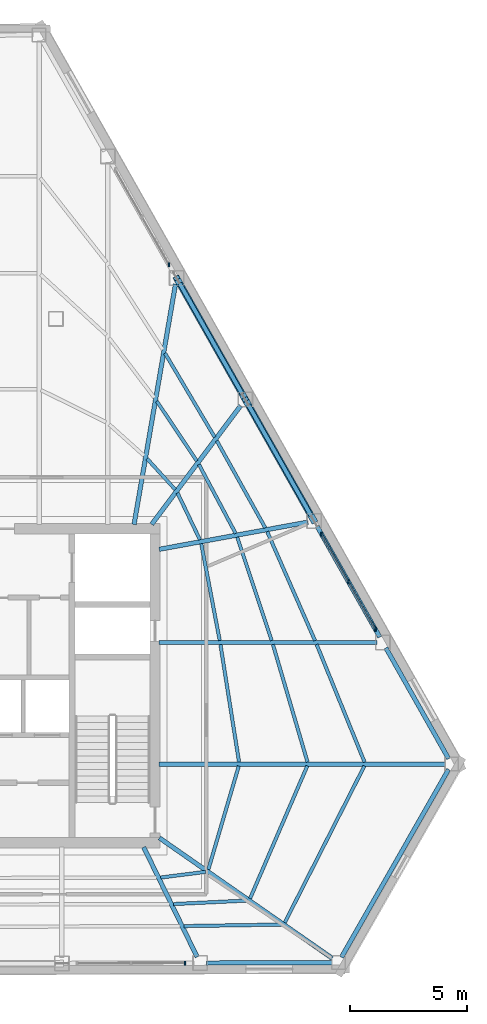
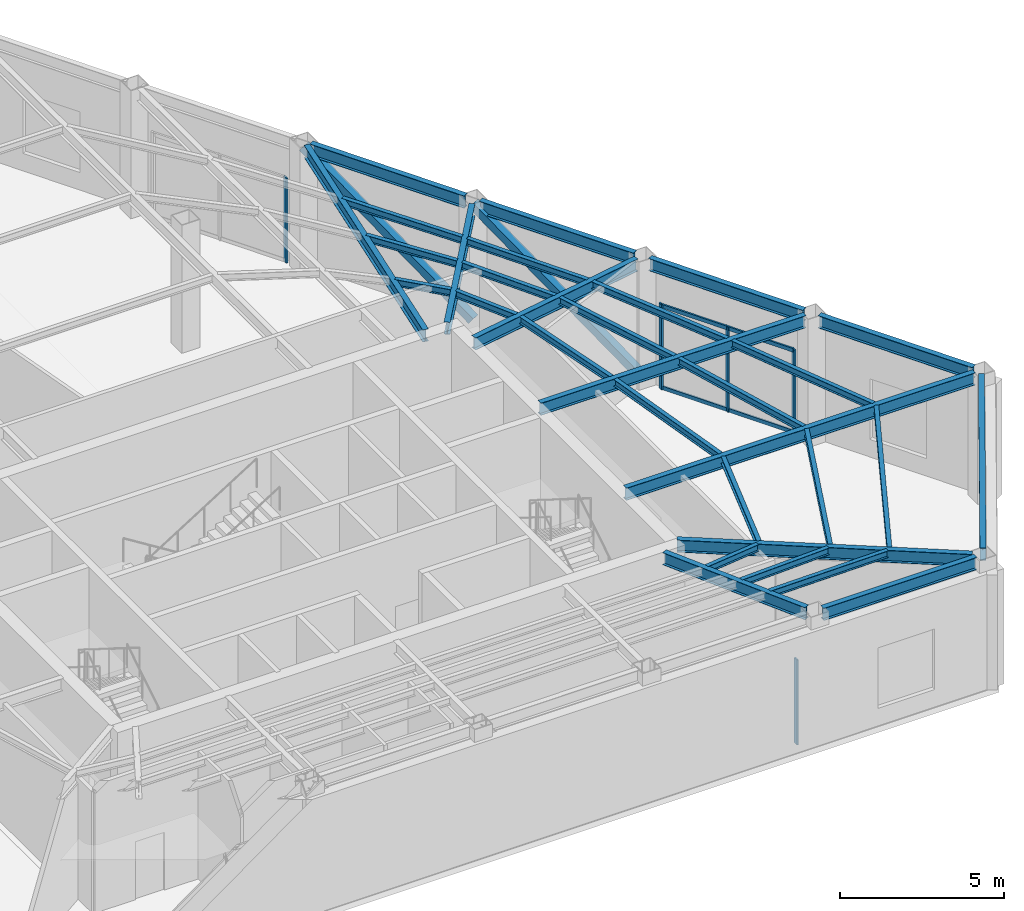
# One storey, part 6 of 14: 31 beams, 9 members, 3 elements without a shape of their own.
"""IFC4 building model written with IfcOpenShell, lengths in metres."""

from ifc_helpers import new_model, si_unit, direction, frame, origin, origin_2d, place, context, subcontext, project, spatial, rectangle, hollow_rectangle, i_section, extrude, material, layer, layer_set, material_profile, profile_set, type_object, element, aggregate, save


model = new_model("IFC4")

# Units and contexts
model_context = context("Model", 3, precision=1e-05, world=origin(), true_north=direction((0.0, 1.0)))
body_context = subcontext(model_context, "Body", "Model", "MODEL_VIEW")
ifc_project = project(units=[si_unit("LENGTHUNIT", "METRE"), si_unit("AREAUNIT", "SQUARE_METRE"), si_unit("VOLUMEUNIT", "CUBIC_METRE"), si_unit("PLANEANGLEUNIT", "RADIAN"), si_unit("MASSUNIT", "GRAM", prefix="KILO")], contexts=[model_context])

# Site, building, storey
site_placement = place(None, origin())
site = spatial("IfcSite", under=ifc_project, at=site_placement, CompositionType="ELEMENT")
building_placement = place(site_placement, origin())
building = spatial("IfcBuilding", under=site, at=building_placement, Name="Kavelnor Concourse Tower", CompositionType="ELEMENT")
storey_placement = place(building_placement, frame((0.0, 0.0, 160.0)))
storey = spatial("IfcBuildingStorey", under=building, at=storey_placement, Name="L40", CompositionType="ELEMENT", Elevation=160.0)

# Beams
ifc_material_1 = material(Name="Steel Grade 350", Category="steel")
ifc_material_profile_1 = material_profile(ifc_material_1, i_section(OverallWidth=0.14599609375, OverallDepth=0.256103515625, WebThickness=0.00634765625, FlangeThickness=0.010986328125, at=origin_2d()), Name="250UB37")
ifc_profile_set_1 = profile_set([ifc_material_profile_1], Name="Steel Grade 350")
beam_type_1 = type_object("IfcBeamType", Name="BM-JOIST-250", PredefinedType="JOIST", material=ifc_profile_set_1)
beam_1_placement = place(storey_placement, frame((47.983642578125, 7.8916015625, 4.6220703125), z_axis=(0.992010509124, 0.126155260638, 0.0), x_axis=(-0.126155260638, 0.992010509124, 0.0)))
element("IfcBeam", 1, at=beam_1_placement, inside=storey, type_object=beam_type_1, Name="L40 Secondary Composite Joist 07-1", PredefinedType="JOIST", context=body_context, shape_type="SweptSolid", body=[
    extrude(i_section(OverallWidth=0.14599609375, OverallDepth=0.256103515625, WebThickness=0.00634765625, FlangeThickness=0.010986328125, at=origin_2d()), origin(), (0.0, 0.0, 1.0), 1.941162109375),
])
beam_2_placement = place(storey_placement, frame((48.533203125, 6.757080078125, 4.6220703125), z_axis=(0.998862350633, 0.047686523133, 0.0), x_axis=(-0.047686523133, 0.998862350633, 0.0)))
element("IfcBeam", 2, at=beam_2_placement, inside=storey, type_object=beam_type_1, Name="L40 Secondary Composite Joist 07-2", PredefinedType="JOIST", context=body_context, shape_type="SweptSolid", body=[
    extrude(i_section(OverallWidth=0.14599609375, OverallDepth=0.256103515625, WebThickness=0.00634765625, FlangeThickness=0.010986328125, at=origin_2d()), origin(), (0.0, 0.0, 1.0), 3.15380859375),
])
beam_3_placement = place(storey_placement, frame((48.99072265625, 5.814453125, 4.6220703125), z_axis=(0.999876088095, 0.015741933027, 0.0), x_axis=(-0.015741933027, 0.999876088095, 0.0)))
element("IfcBeam", 3, at=beam_3_placement, inside=storey, type_object=beam_type_1, Name="L40 Secondary Composite Joist 07-3", PredefinedType="JOIST", context=body_context, shape_type="SweptSolid", body=[
    extrude(i_section(OverallWidth=0.14599609375, OverallDepth=0.256103515625, WebThickness=0.00634765625, FlangeThickness=0.010986328125, at=origin_2d()), origin(), (0.0, 0.0, 1.0), 4.171875),
])
beam_4_placement = place(storey_placement, frame((50.022705078125, 8.23291015625, 4.6220703125), z_axis=(0.282197807631, 0.959356241116, 0.0), x_axis=(-0.959356241116, 0.282197807631, 0.0)))
element("IfcBeam", 4, at=beam_4_placement, inside=storey, type_object=beam_type_1, Name="L40 Secondary Composite Joist 08-1", PredefinedType="JOIST", context=body_context, shape_type="SweptSolid", body=[
    extrude(i_section(OverallWidth=0.14599609375, OverallDepth=0.256103515625, WebThickness=0.00634765625, FlangeThickness=0.010986328125, at=origin_2d()), origin(), (0.0, 0.0, 1.0), 4.6181640625),
])
beam_5_placement = place(storey_placement, frame((51.8076171875, 6.993408203125, 4.6220703125), z_axis=(0.396302060744, 0.918120186386, 0.0), x_axis=(-0.918120186386, 0.396302060744, 0.0)))
element("IfcBeam", 5, at=beam_5_placement, inside=storey, type_object=beam_type_1, Name="L40 Secondary Composite Joist 08-2", PredefinedType="JOIST", context=body_context, shape_type="SweptSolid", body=[
    extrude(i_section(OverallWidth=0.14599609375, OverallDepth=0.256103515625, WebThickness=0.00634765625, FlangeThickness=0.010986328125, at=origin_2d()), origin(), (0.0, 0.0, 1.0), 6.1796875),
])
beam_6_placement = place(storey_placement, frame((53.29150390625, 5.9609375, 4.6220703125), z_axis=(0.453224395233, 0.891396459251, 0.0), x_axis=(-0.891396459251, 0.453224395233, 0.0)))
element("IfcBeam", 6, at=beam_6_placement, inside=storey, type_object=beam_type_1, Name="L40 Secondary Composite Joist 08-3", PredefinedType="JOIST", context=body_context, shape_type="SweptSolid", body=[
    extrude(i_section(OverallWidth=0.14599609375, OverallDepth=0.256103515625, WebThickness=0.00634765625, FlangeThickness=0.010986328125, at=origin_2d()), origin(), (0.0, 0.0, 1.0), 7.52587890625),
])
beam_7_placement = place(storey_placement, frame((51.337158203125, 12.836669921875, 4.6220703125), z_axis=(-0.156509685522, 0.987676423905, 0.0), x_axis=(-0.987676423905, -0.156509685522, 0.0)))
element("IfcBeam", 7, at=beam_7_placement, inside=storey, type_object=beam_type_1, Name="L40 Secondary Composite Joist 09-1", PredefinedType="JOIST", context=body_context, shape_type="SweptSolid", body=[
    extrude(i_section(OverallWidth=0.14599609375, OverallDepth=0.256103515625, WebThickness=0.00634765625, FlangeThickness=0.010986328125, at=origin_2d()), origin(), (0.0, 0.0, 1.0), 5.0869140625),
])
beam_8_placement = place(storey_placement, frame((54.266845703125, 12.833984375, 4.6220703125), z_axis=(-0.282259610586, 0.959338059409, 0.0), x_axis=(-0.959338059409, -0.282259610586, 0.0)))
element("IfcBeam", 8, at=beam_8_placement, inside=storey, type_object=beam_type_1, Name="L40 Secondary Composite Joist 09-2", PredefinedType="JOIST", context=body_context, shape_type="SweptSolid", body=[
    extrude(i_section(OverallWidth=0.14599609375, OverallDepth=0.256103515625, WebThickness=0.00634765625, FlangeThickness=0.010986328125, at=origin_2d()), origin(), (0.0, 0.0, 1.0), 5.242431640625),
])
beam_9_placement = place(storey_placement, frame((56.709228515625, 12.8310546875, 4.6220703125), z_axis=(-0.377321134883, 0.92608248076, 0.0), x_axis=(-0.92608248076, -0.377321134883, 0.0)))
element("IfcBeam", 9, at=beam_9_placement, inside=storey, type_object=beam_type_1, Name="L40 Secondary Composite Joist 09-3", PredefinedType="JOIST", context=body_context, shape_type="SweptSolid", body=[
    extrude(i_section(OverallWidth=0.14599609375, OverallDepth=0.256103515625, WebThickness=0.00634765625, FlangeThickness=0.010986328125, at=origin_2d()), origin(), (0.0, 0.0, 1.0), 5.43701171875),
])
beam_10_placement = place(storey_placement, frame((50.510498046875, 18.0361328125, 4.6220703125), z_axis=(-0.187508706696, 0.982262940822, 0.0), x_axis=(-0.982262940822, -0.187508706696, 0.0)))
element("IfcBeam", 10, at=beam_10_placement, inside=storey, type_object=beam_type_1, Name="L40 Secondary Composite Joist 10-1", PredefinedType="JOIST", context=body_context, shape_type="SweptSolid", body=[
    extrude(i_section(OverallWidth=0.14599609375, OverallDepth=0.256103515625, WebThickness=0.00634765625, FlangeThickness=0.010986328125, at=origin_2d()), origin(), (0.0, 0.0, 1.0), 4.214599609375),
])
beam_11_placement = place(storey_placement, frame((52.73388671875, 18.033203125, 4.6220703125), z_axis=(-0.31600790773, 0.948756555841, 0.0), x_axis=(-0.948756555841, -0.31600790773, 0.0)))
element("IfcBeam", 11, at=beam_11_placement, inside=storey, type_object=beam_type_1, Name="L40 Secondary Composite Joist 10-2", PredefinedType="JOIST", context=body_context, shape_type="SweptSolid", body=[
    extrude(i_section(OverallWidth=0.14599609375, OverallDepth=0.256103515625, WebThickness=0.00634765625, FlangeThickness=0.010986328125, at=origin_2d()), origin(), (0.0, 0.0, 1.0), 4.6640625),
])
beam_12_placement = place(storey_placement, frame((54.58837890625, 18.0302734375, 4.6220703125), z_axis=(-0.401980259907, 0.915648333502, 0.0), x_axis=(-0.915648333502, -0.401980259907, 0.0)))
element("IfcBeam", 12, at=beam_12_placement, inside=storey, type_object=beam_type_1, Name="L40 Secondary Composite Joist 10-3", PredefinedType="JOIST", context=body_context, shape_type="SweptSolid", body=[
    extrude(i_section(OverallWidth=0.14599609375, OverallDepth=0.256103515625, WebThickness=0.00634765625, FlangeThickness=0.010986328125, at=origin_2d()), origin(), (0.0, 0.0, 1.0), 5.09326171875),
])
beam_13_placement = place(storey_placement, frame((49.6650390625, 22.34375, 4.6220703125), z_axis=(-0.432123902617, 0.901814245167, 0.0), x_axis=(-0.901814245167, -0.432123902617, 0.0)))
element("IfcBeam", 13, at=beam_13_placement, inside=storey, type_object=beam_type_1, Name="L40 Secondary Composite Joist 11-1", PredefinedType="JOIST", context=body_context, shape_type="SweptSolid", body=[
    extrude(i_section(OverallWidth=0.14599609375, OverallDepth=0.256103515625, WebThickness=0.00634765625, FlangeThickness=0.010986328125, at=origin_2d()), origin(), (0.0, 0.0, 1.0), 2.22265625),
])
beam_14_placement = place(storey_placement, frame((51.18994140625, 22.621337890625, 4.6220703125), z_axis=(-0.470033855443, 0.882648386809, 0.0), x_axis=(-0.882648386809, -0.470033855443, 0.0)))
element("IfcBeam", 14, at=beam_14_placement, inside=storey, type_object=beam_type_1, Name="L40 Secondary Composite Joist 11-2", PredefinedType="JOIST", context=body_context, shape_type="SweptSolid", body=[
    extrude(i_section(OverallWidth=0.14599609375, OverallDepth=0.256103515625, WebThickness=0.00634765625, FlangeThickness=0.010986328125, at=origin_2d()), origin(), (0.0, 0.0, 1.0), 3.337646484375),
])
beam_15_placement = place(storey_placement, frame((52.4619140625, 22.853271484375, 4.6220703125), z_axis=(-0.486836800114, 0.873492947914, 0.0), x_axis=(-0.873492947914, -0.486836800114, 0.0)))
element("IfcBeam", 15, at=beam_15_placement, inside=storey, type_object=beam_type_1, Name="L40 Secondary Composite Joist 11-3", PredefinedType="JOIST", context=body_context, shape_type="SweptSolid", body=[
    extrude(i_section(OverallWidth=0.14599609375, OverallDepth=0.256103515625, WebThickness=0.00634765625, FlangeThickness=0.010986328125, at=origin_2d()), origin(), (0.0, 0.0, 1.0), 4.26953125),
])
beam_16_placement = place(storey_placement, frame((48.606201171875, 24.494140625, 4.6220703125), z_axis=(-0.673867864405, 0.738851880503, 0.0), x_axis=(-0.738851880503, -0.673867864405, 0.0)))
element("IfcBeam", 16, at=beam_16_placement, inside=storey, type_object=beam_type_1, Name="L40 Secondary Composite Joist 12-1", PredefinedType="JOIST", context=body_context, shape_type="SweptSolid", body=[
    extrude(i_section(OverallWidth=0.14599609375, OverallDepth=0.256103515625, WebThickness=0.00634765625, FlangeThickness=0.010986328125, at=origin_2d()), origin(), (0.0, 0.0, 1.0), 1.788330078125),
])
beam_17_placement = place(storey_placement, frame((49.529541015625, 25.7197265625, 4.6220703125), z_axis=(-0.556602744166, 0.830778782341, 0.0), x_axis=(-0.830778782341, -0.556602744166, 0.0)))
element("IfcBeam", 17, at=beam_17_placement, inside=storey, type_object=beam_type_1, Name="L40 Secondary Composite Joist 12-2", PredefinedType="JOIST", context=body_context, shape_type="SweptSolid", body=[
    extrude(i_section(OverallWidth=0.14599609375, OverallDepth=0.256103515625, WebThickness=0.00634765625, FlangeThickness=0.010986328125, at=origin_2d()), origin(), (0.0, 0.0, 1.0), 3.077392578125),
])
beam_18_placement = place(storey_placement, frame((50.294677734375, 26.737060546875, 4.6220703125), z_axis=(-0.50936329999, 0.860551583941, 0.0), x_axis=(-0.860551583941, -0.50936329999, 0.0)))
element("IfcBeam", 18, at=beam_18_placement, inside=storey, type_object=beam_type_1, Name="L40 Secondary Composite Joist 12-3", PredefinedType="JOIST", context=body_context, shape_type="SweptSolid", body=[
    extrude(i_section(OverallWidth=0.14599609375, OverallDepth=0.256103515625, WebThickness=0.00634765625, FlangeThickness=0.010986328125, at=origin_2d()), origin(), (0.0, 0.0, 1.0), 4.1767578125),
])
ifc_material_profile_2 = material_profile(ifc_material_1, i_section(OverallWidth=0.18994140625, OverallDepth=0.4541015625, WebThickness=0.008544921875, FlangeThickness=0.0126953125, at=origin_2d()), Name="460UB67")
ifc_profile_set_2 = profile_set([ifc_material_profile_2], Name="Steel Grade 350")
beam_type_2 = type_object("IfcBeamType", Name="BM-PRIMARY-460", PredefinedType="BEAM", material=ifc_profile_set_2)
beam_19_placement = place(storey_placement, frame((47.2548828125, 9.196044921875, 4.52294921875), z_axis=(0.43771381436, -0.899114351303, 0.0), x_axis=(0.899114351303, 0.43771381436, 0.0)))
element("IfcBeam", 19, at=beam_19_placement, inside=storey, type_object=beam_type_2, Name="L40 Primary Floor Girder F1-B5", PredefinedType="BEAM", context=body_context, shape_type="SweptSolid", body=[
    extrude(i_section(OverallWidth=0.18994140625, OverallDepth=0.4541015625, WebThickness=0.008544921875, FlangeThickness=0.0126953125, at=origin_2d()), origin(), (0.0, 0.0, 1.0), 5.2255859375),
])
beam_20_placement = place(storey_placement, frame((47.92724609375, 9.589599609375, 4.52294921875), z_axis=(0.820590305651, -0.571516885377, 0.0), x_axis=(0.571516885377, 0.820590305651, 0.0)))
element("IfcBeam", 20, at=beam_20_placement, inside=storey, type_object=beam_type_2, Name="L40 Primary Floor Girder F1-B6", PredefinedType="BEAM", context=body_context, shape_type="SweptSolid", body=[
    extrude(i_section(OverallWidth=0.18994140625, OverallDepth=0.4541015625, WebThickness=0.008544921875, FlangeThickness=0.0126953125, at=origin_2d()), origin(), (0.0, 0.0, 1.0), 9.010986328125),
])
beam_21_placement = place(storey_placement, frame((47.919921875, 12.748779296875, 4.52294921875), z_axis=(1.0, 0.0, 0.0), x_axis=(0.0, 1.0, 0.0)))
element("IfcBeam", 21, at=beam_21_placement, inside=storey, type_object=beam_type_2, Name="L40 Primary Floor Girder F2-B0", PredefinedType="BEAM", context=body_context, shape_type="SweptSolid", body=[
    extrude(i_section(OverallWidth=0.18994140625, OverallDepth=0.4541015625, WebThickness=0.008544921875, FlangeThickness=0.0126953125, at=origin_2d()), origin(), (0.0, 0.0, 1.0), 12.25390625),
])
beam_22_placement = place(storey_placement, frame((47.919921875, 17.94873046875, 4.52294921875), z_axis=(1.0, 0.0, 0.0), x_axis=(0.0, 1.0, 0.0)))
element("IfcBeam", 22, at=beam_22_placement, inside=storey, type_object=beam_type_2, Name="L40 Primary Floor Girder F2-B1", PredefinedType="BEAM", context=body_context, shape_type="SweptSolid", body=[
    extrude(i_section(OverallWidth=0.18994140625, OverallDepth=0.4541015625, WebThickness=0.008544921875, FlangeThickness=0.0126953125, at=origin_2d()), origin(), (0.0, 0.0, 1.0), 9.311279296875),
])
beam_23_placement = place(storey_placement, frame((47.920654296875, 21.937744140625, 4.52294921875), z_axis=(0.983710201163, 0.179761620288, 0.0), x_axis=(-0.179761620288, 0.983710201163, 0.0)))
element("IfcBeam", 23, at=beam_23_placement, inside=storey, type_object=beam_type_2, Name="L40 Primary Floor Girder F2-B2", PredefinedType="BEAM", context=body_context, shape_type="SweptSolid", body=[
    extrude(i_section(OverallWidth=0.18994140625, OverallDepth=0.4541015625, WebThickness=0.008544921875, FlangeThickness=0.0126953125, at=origin_2d()), origin(), (0.0, 0.0, 1.0), 6.472900390625),
])
beam_24_placement = place(storey_placement, frame((47.600830078125, 23.008056640625, 4.52294921875), z_axis=(0.599987679063, 0.800009240555, 0.0), x_axis=(-0.800009240555, 0.599987679063, 0.0)))
element("IfcBeam", 24, at=beam_24_placement, inside=storey, type_object=beam_type_2, Name="L40 Primary Floor Girder F2-B3", PredefinedType="BEAM", context=body_context, shape_type="SweptSolid", body=[
    extrude(i_section(OverallWidth=0.18994140625, OverallDepth=0.4541015625, WebThickness=0.008544921875, FlangeThickness=0.0126953125, at=origin_2d()), origin(), (0.0, 0.0, 1.0), 6.3408203125),
])
beam_25_placement = place(storey_placement, frame((46.84423828125, 23.00048828125, 4.52294921875), z_axis=(0.169989926684, 0.985445800045, 0.0), x_axis=(-0.985445800045, 0.169989926684, 0.0)))
element("IfcBeam", 25, at=beam_25_placement, inside=storey, type_object=beam_type_2, Name="L40 Primary Floor Girder F2-B4", PredefinedType="BEAM", context=body_context, shape_type="SweptSolid", body=[
    extrude(i_section(OverallWidth=0.18994140625, OverallDepth=0.4541015625, WebThickness=0.008544921875, FlangeThickness=0.0126953125, at=origin_2d()), origin(), (0.0, 0.0, 1.0), 10.439697265625),
])
ifc_material_profile_3 = material_profile(ifc_material_1, i_section(OverallWidth=0.19091796875, OverallDepth=0.4599609375, WebThickness=0.010009765625, FlangeThickness=0.01611328125, at=origin_2d()), Name="460UB82")
ifc_profile_set_3 = profile_set([ifc_material_profile_3], Name="Steel Grade 350")
beam_type_3 = type_object("IfcBeamType", Name="BM-SPANDREL-Z3", PredefinedType="SPANDREL", material=ifc_profile_set_3)
beam_26_placement = place(storey_placement, frame((49.935791015625, 4.234375, 4.52001953125), z_axis=(0.999994225379, 0.003398412565, 0.0), x_axis=(-0.003398412565, 0.999994225379, 0.0)))
element("IfcBeam", 26, at=beam_26_placement, inside=storey, type_object=beam_type_3, Name="L40 Perimeter Tube Spandrel Beam F1-B5", PredefinedType="SPANDREL", context=body_context, shape_type="SweptSolid", body=[
    extrude(i_section(OverallWidth=0.19091796875, OverallDepth=0.4599609375, WebThickness=0.010009765625, FlangeThickness=0.01611328125, at=origin_2d()), origin(), (0.0, 0.0, 1.0), 5.387939453125),
])
beam_27_placement = place(storey_placement, frame((60.30322265625, 12.979248046875, 4.52001953125), z_axis=(-0.492469427055, 0.870329744072, 0.0), x_axis=(-0.870329744072, -0.492469427055, 0.0)))
element("IfcBeam", 27, at=beam_27_placement, inside=storey, type_object=beam_type_3, Name="L40 Perimeter Tube Spandrel Beam F2-B0", PredefinedType="SPANDREL", context=body_context, shape_type="SweptSolid", body=[
    extrude(i_section(OverallWidth=0.19091796875, OverallDepth=0.4599609375, WebThickness=0.010009765625, FlangeThickness=0.01611328125, at=origin_2d()), origin(), (0.0, 0.0, 1.0), 5.44482421875),
])
beam_28_placement = place(storey_placement, frame((57.36083984375, 18.17919921875, 4.52001953125), z_axis=(-0.492484172055, 0.870321400561, 0.0), x_axis=(-0.870321400561, -0.492484172055, 0.0)))
element("IfcBeam", 28, at=beam_28_placement, inside=storey, type_object=beam_type_3, Name="L40 Perimeter Tube Spandrel Beam F2-B1", PredefinedType="SPANDREL", context=body_context, shape_type="SweptSolid", body=[
    extrude(i_section(OverallWidth=0.19091796875, OverallDepth=0.4599609375, WebThickness=0.010009765625, FlangeThickness=0.01611328125, at=origin_2d()), origin(), (0.0, 0.0, 1.0), 5.445068359375),
])
beam_29_placement = place(storey_placement, frame((54.418212890625, 23.37939453125, 4.52001953125), z_axis=(-0.492469427055, 0.870329744072, 0.0), x_axis=(-0.870329744072, -0.492469427055, 0.0)))
element("IfcBeam", 29, at=beam_29_placement, inside=storey, type_object=beam_type_3, Name="L40 Perimeter Tube Spandrel Beam F2-B2", PredefinedType="SPANDREL", context=body_context, shape_type="SweptSolid", body=[
    extrude(i_section(OverallWidth=0.19091796875, OverallDepth=0.4599609375, WebThickness=0.010009765625, FlangeThickness=0.01611328125, at=origin_2d()), origin(), (0.0, 0.0, 1.0), 5.44482421875),
])
beam_30_placement = place(storey_placement, frame((51.475830078125, 28.579345703125, 4.52001953125), z_axis=(-0.492484172055, 0.870321400561, 0.0), x_axis=(-0.870321400561, -0.492484172055, 0.0)))
element("IfcBeam", 30, at=beam_30_placement, inside=storey, type_object=beam_type_3, Name="L40 Perimeter Tube Spandrel Beam F2-B3", PredefinedType="SPANDREL", context=body_context, shape_type="SweptSolid", body=[
    extrude(i_section(OverallWidth=0.19091796875, OverallDepth=0.4599609375, WebThickness=0.010009765625, FlangeThickness=0.01611328125, at=origin_2d()), origin(), (0.0, 0.0, 1.0), 5.445068359375),
])
beam_31_placement = place(storey_placement, frame((55.719970703125, 4.483642578125, 4.52001953125), z_axis=(0.49541678736, 0.868655401642, 0.0), x_axis=(-0.868655401642, 0.49541678736, 0.0)))
element("IfcBeam", 31, at=beam_31_placement, inside=storey, type_object=beam_type_3, Name="L40 Chamfer Facet Spandrel Beam C2", PredefinedType="SPANDREL", context=body_context, shape_type="SweptSolid", body=[
    extrude(i_section(OverallWidth=0.19091796875, OverallDepth=0.4599609375, WebThickness=0.010009765625, FlangeThickness=0.01611328125, at=origin_2d()), origin(), (0.0, 0.0, 1.0), 9.249755859375),
])

# Curtain wall, member
ifc_material_2 = material(Name="Anodised aluminium 6063-T6", Category="aluminium")
ifc_layer = layer(ifc_material_2, 0.169921875, Name="Anodised aluminium 6063-T6")
ifc_layer_set = layer_set([ifc_layer], Name="Anodised aluminium 6063-T6")
curtain_wall_type = type_object("IfcCurtainWallType", Name="CW-SKYLOBBY-L40", PredefinedType="NOTDEFINED", material=ifc_layer_set)
curtain_wall_1_placement = place(storey_placement, origin())
curtain_wall_1 = element("IfcCurtainWall", 32, at=curtain_wall_1_placement, inside=storey, type_object=curtain_wall_type, Name="L40 Feature Curtain Wall F1-B4", PredefinedType="NOTDEFINED")
ifc_material_profile_4 = material_profile(ifc_material_2, rectangle(XDim=0.06005859375, YDim=0.169921875, at=origin_2d()), Name="AL-MULL 60x170")
ifc_profile_set_4 = profile_set([ifc_material_profile_4], Name="Anodised aluminium 6063-T6")
member_type_1 = type_object("IfcMemberType", Name="CW-SKYLOBBY-L40-MULL", PredefinedType="MULLION", material=ifc_profile_set_4)
member_1_placement = place(storey_placement, frame((49.020751953125, 4.231201171875, 0.0), z_axis=(0.0, 0.0, 1.0), x_axis=(1.0, 0.0, 0.0)))
member_1 = element("IfcMember", 33, at=member_1_placement, type_object=member_type_1, Name="L40 Feature Curtain Wall F1-B4 Mullion 2", PredefinedType="MULLION", context=body_context, shape_type="SweptSolid", body=[
    extrude(rectangle(XDim=0.06005859375, YDim=0.169921875, at=origin_2d()), origin(), (0.0, 0.0, 1.0), 3.14990234375),
])
aggregate(curtain_wall_1, [member_1])

# Curtain wall, members
curtain_wall_2_placement = place(storey_placement, origin())
curtain_wall_2 = element("IfcCurtainWall", 34, at=curtain_wall_2_placement, inside=storey, type_object=curtain_wall_type, Name="L40 Feature Curtain Wall F2-B1", PredefinedType="NOTDEFINED")
member_2_placement = place(storey_placement, frame((57.171142578125, 18.514404296875, 0.0), z_axis=(0.0, 0.0, 1.0), x_axis=(1.0, 0.0, 0.0)))
member_2 = element("IfcMember", 35, at=member_2_placement, type_object=member_type_1, Name="L40 Feature Curtain Wall F2-B1 Mullion 0", PredefinedType="MULLION", context=body_context, shape_type="SweptSolid", body=[
    extrude(rectangle(XDim=0.06005859375, YDim=0.169921875, at=origin_2d()), origin(), (0.0, 0.0, 1.0), 3.14990234375),
])
member_3_placement = place(storey_placement, frame((56.02001953125, 20.548583984375, 0.0), z_axis=(0.0, 0.0, 1.0), x_axis=(1.0, 0.0, 0.0)))
member_3 = element("IfcMember", 36, at=member_3_placement, type_object=member_type_1, Name="L40 Feature Curtain Wall F2-B1 Mullion 1", PredefinedType="MULLION", context=body_context, shape_type="SweptSolid", body=[
    extrude(rectangle(XDim=0.06005859375, YDim=0.169921875, at=origin_2d()), origin(), (0.0, 0.0, 1.0), 3.14990234375),
])
member_4_placement = place(storey_placement, frame((54.868896484375, 22.5830078125, 0.0), z_axis=(0.0, 0.0, 1.0), x_axis=(1.0, 0.0, 0.0)))
member_4 = element("IfcMember", 37, at=member_4_placement, type_object=member_type_1, Name="L40 Feature Curtain Wall F2-B1 Mullion 2", PredefinedType="MULLION", context=body_context, shape_type="SweptSolid", body=[
    extrude(rectangle(XDim=0.06005859375, YDim=0.169921875, at=origin_2d()), origin(), (0.0, 0.0, 1.0), 3.14990234375),
])

# Curtain wall, member
curtain_wall_3_placement = place(storey_placement, origin())
curtain_wall_3 = element("IfcCurtainWall", 38, at=curtain_wall_3_placement, inside=storey, type_object=curtain_wall_type, Name="L40 Feature Curtain Wall F2-B4", PredefinedType="NOTDEFINED")
member_5_placement = place(storey_placement, frame((48.34375, 34.114501953125, 0.0), z_axis=(0.0, 0.0, 1.0), x_axis=(1.0, 0.0, 0.0)))
member_5 = element("IfcMember", 39, at=member_5_placement, type_object=member_type_1, Name="L40 Feature Curtain Wall F2-B4 Mullion 0", PredefinedType="MULLION", context=body_context, shape_type="SweptSolid", body=[
    extrude(rectangle(XDim=0.06005859375, YDim=0.169921875, at=origin_2d()), origin(), (0.0, 0.0, 1.0), 3.14990234375),
])
aggregate(curtain_wall_3, [member_5])

# Member
ifc_material_profile_5 = material_profile(ifc_material_2, rectangle(XDim=0.06005859375, YDim=0.139892578125, at=origin_2d()), Name="AL-TRAN 60x140")
ifc_profile_set_5 = profile_set([ifc_material_profile_5], Name="Anodised aluminium 6063-T6")
member_type_2 = type_object("IfcMemberType", Name="CW-SKYLOBBY-L40-TRAN", PredefinedType="USERDEFINED", material=ifc_profile_set_5)
member_6_placement = place(storey_placement, frame((57.171142578125, 18.514404296875, 0.06005859375), z_axis=(-0.492478812315, 0.870324433428, 0.0), x_axis=(-0.870324433428, -0.492478812315, 0.0)))
member_6 = element("IfcMember", 40, at=member_6_placement, type_object=member_type_2, Name="L40 Feature Curtain Wall F2-B1 Transom 0-BOT", ObjectType="TRANSOM", PredefinedType="USERDEFINED", context=body_context, shape_type="SweptSolid", body=[
    extrude(rectangle(XDim=0.06005859375, YDim=0.139892578125, at=origin_2d()), origin(), (0.0, 0.0, 1.0), 4.6748046875),
])

member_7_placement = place(storey_placement, frame((57.171142578125, 18.514404296875, 3.090087890625), z_axis=(-0.492478812315, 0.870324433428, 0.0), x_axis=(-0.870324433428, -0.492478812315, 0.0)))
member_7 = element("IfcMember", 41, at=member_7_placement, type_object=member_type_2, Name="L40 Feature Curtain Wall F2-B1 Transom 0-TOP", ObjectType="TRANSOM", PredefinedType="USERDEFINED", context=body_context, shape_type="SweptSolid", body=[
    extrude(rectangle(XDim=0.06005859375, YDim=0.139892578125, at=origin_2d()), origin(), (0.0, 0.0, 1.0), 4.6748046875),
])

aggregate(curtain_wall_2, [member_2, member_3, member_4, member_6, member_7])

# Members
ifc_material_profile_6 = material_profile(ifc_material_1, hollow_rectangle(XDim=0.280029296875, YDim=0.280029296875, WallThickness=0.01611328125, at=origin_2d()), Name="SHS 280x280x16")
ifc_profile_set_6 = profile_set([ifc_material_profile_6], Name="Steel Grade 350")
member_type_3 = type_object("IfcMemberType", Name="MBR-TUBE-DIAG-Z3", PredefinedType="BRACE", material=ifc_profile_set_6)
member_8_placement = place(storey_placement, frame((54.548828125, 23.148681640625, 0.219970703125), z_axis=(-0.39973263281, 0.706405465763, 0.584127674577), x_axis=(-0.870319972307, -0.492486696067, 0.0)))
element("IfcMember", 42, at=member_8_placement, inside=storey, type_object=member_type_3, Name="L40 Framed-Tube Bracing Diagonal F2-B2", PredefinedType="BRACE", context=body_context, shape_type="SweptSolid", body=[
    extrude(hollow_rectangle(XDim=0.280029296875, YDim=0.280029296875, WallThickness=0.01611328125, at=origin_2d()), origin(), (0.0, 0.0, 1.0), 7.361572265625),
])
member_9_placement = place(storey_placement, frame((51.606201171875, 28.348876953125, 0.219970703125), z_axis=(-0.399714131416, 0.706398214822, 0.584149103604), x_axis=(-0.870327575786, -0.492473258997, 0.0)))
element("IfcMember", 43, at=member_9_placement, inside=storey, type_object=member_type_3, Name="L40 Framed-Tube Bracing Diagonal F2-B3", PredefinedType="BRACE", context=body_context, shape_type="SweptSolid", body=[
    extrude(hollow_rectangle(XDim=0.280029296875, YDim=0.280029296875, WallThickness=0.01611328125, at=origin_2d()), origin(), (0.0, 0.0, 1.0), 7.361328125),
])

save(model, "model.ifc")
